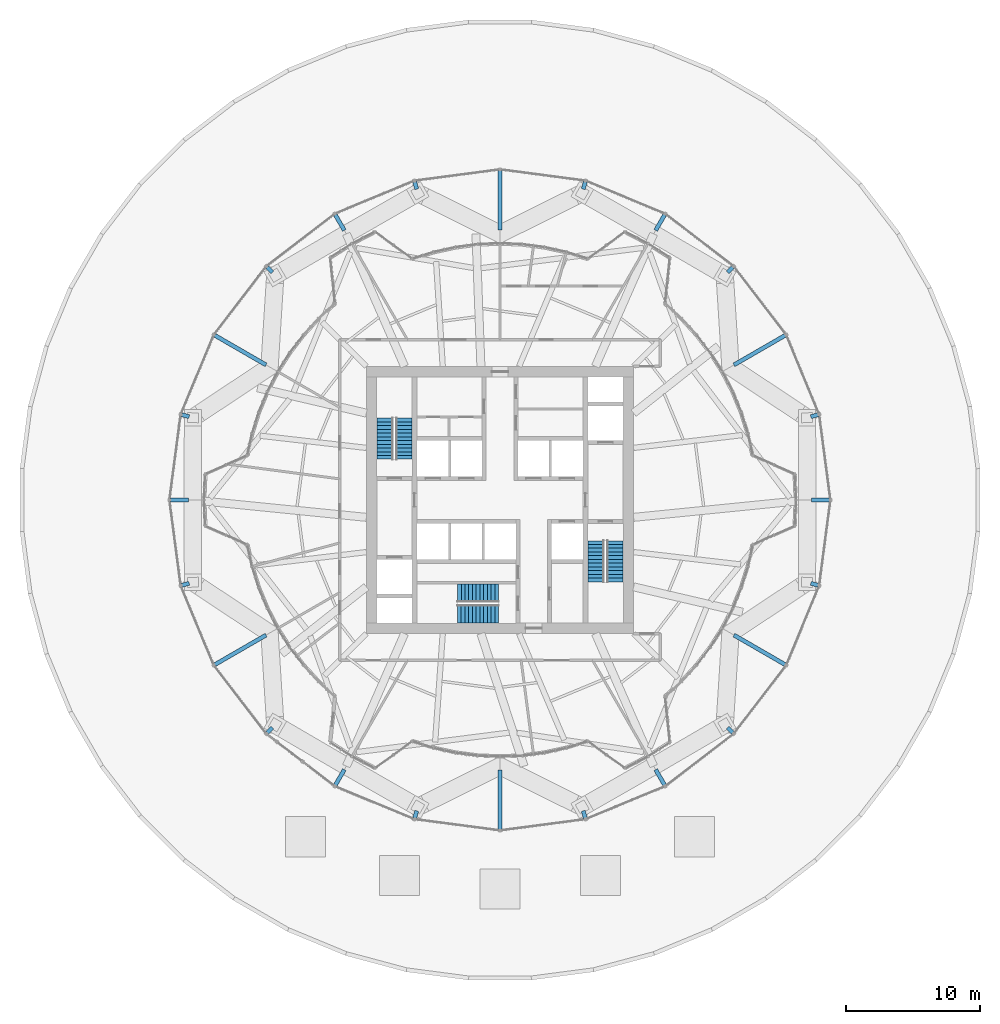
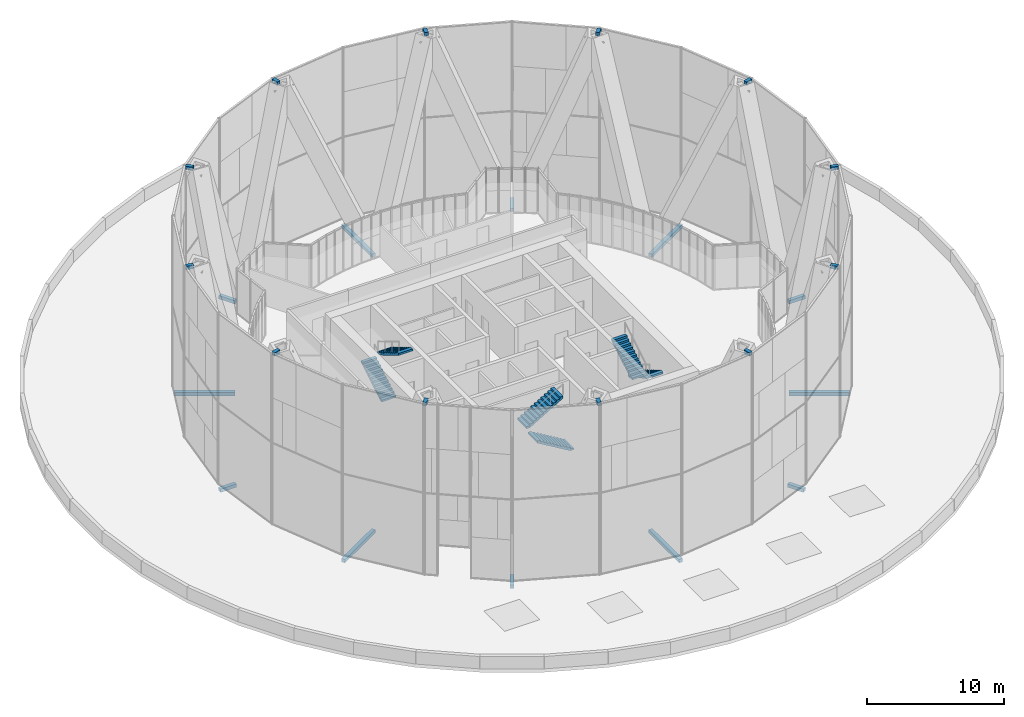
# One storey, part 26 of 27: 24 discrete accessories, 6 stair flights, 3 elements without a shape of their own.
"""IFC4 building model written with IfcOpenShell, lengths in metres."""

import ifcopenshell
import ifcopenshell.guid

model = None  # the IFC model being written
_history = None  # IfcOwnerHistory: only IFC2X3 demands one
_inside = {}  # id of a spatial element -> (the spatial element, [elements in it])
_under = {}  # id of a project, library or spatial element -> (it, [spatial elements below it])
_declared = {}  # id of a project -> (the project, [libraries it declares])
_typed = {}  # id of a type object -> (the type object, [elements of that type])
_made_of = {}  # id of a material, layer set ... -> (it, [elements and type objects made of it])


def new_model(schema):
    """Start an empty IFC model of exactly this schema.

    Asked for "IFC4X3", IfcOpenShell would pick the latest addendum, in which some entities
    have other attributes; the version numbers below select the first issue.
    IFC2X3 requires an IfcOwnerHistory on every rooted entity: one is made here for all.
    """
    global model, _history
    if schema == "IFC4X3":
        model = ifcopenshell.file(schema_version=(4, 3, 0, 0))
    else:
        model = ifcopenshell.file(schema=schema)
    _inside.clear()
    _under.clear()
    _declared.clear()
    _typed.clear()
    _made_of.clear()
    _history = None
    if model.schema == "IFC2X3":
        org = make("IfcOrganization", Name="unknown")
        user = make(
            "IfcPersonAndOrganization",
            ThePerson=make("IfcPerson", FamilyName="unknown"),
            TheOrganization=org,
        )
        app = make(
            "IfcApplication",
            ApplicationDeveloper=org,
            Version="unknown",
            ApplicationFullName="unknown",
            ApplicationIdentifier="unknown",
        )
        _history = make(
            "IfcOwnerHistory",
            OwningUser=user,
            OwningApplication=app,
            ChangeAction="ADDED",
            CreationDate=0,
        )
    return model


def make(cls, **values):
    """One entity of the class cls with the attributes given. An attribute that is None is left unset."""
    return model.create_entity(
        cls, **{name: value for name, value in values.items() if value is not None}
    )


def rooted(cls, **values):
    """An entity with a GlobalId (a new one), such as an element, a storey or a relation."""
    return make(cls, GlobalId=ifcopenshell.guid.new(), OwnerHistory=_history, **values)


def si_unit(unit_type, name, prefix=None):
    """IfcSIUnit, for example si_unit("LENGTHUNIT", "METRE", prefix="MILLI")."""
    return make("IfcSIUnit", UnitType=unit_type, Prefix=prefix, Name=name)


def assignment(units):
    """IfcUnitAssignment: the units of a project."""
    return None if units is None else make("IfcUnitAssignment", Units=units)


def point(xyz):
    """IfcCartesianPoint."""
    return None if xyz is None else make("IfcCartesianPoint", Coordinates=xyz)


def direction(xyz):
    """IfcDirection."""
    return None if xyz is None else make("IfcDirection", DirectionRatios=xyz)


def frame(location, z_axis=None, x_axis=None):
    """IfcAxis2Placement3D, a coordinate frame: its origin and axes. An axis left out is left unset."""
    return make(
        "IfcAxis2Placement3D",
        Location=point(location),
        Axis=direction(z_axis),
        RefDirection=direction(x_axis),
    )


def frame_2d(location, x_axis=None):
    """IfcAxis2Placement2D, a coordinate frame in the plane: its origin and x axis."""
    return make(
        "IfcAxis2Placement2D", Location=point(location), RefDirection=direction(x_axis)
    )


def origin():
    """The frame at (0, 0, 0) with its axes left unset."""
    return frame((0.0, 0.0, 0.0))


def origin_2d():
    """The frame at (0, 0) in the plane with its x axis left unset."""
    return frame_2d((0.0, 0.0))


def place(relative_to, where):
    """IfcLocalPlacement: puts the frame where relative to a parent placement (None: the world)."""
    return make(
        "IfcLocalPlacement", PlacementRelTo=relative_to, RelativePlacement=where
    )


def context(
    kind, dimensions, precision=None, world=None, true_north=None, identifier=None
):
    """IfcGeometricRepresentationContext, for example the 3D "Model" context."""
    return make(
        "IfcGeometricRepresentationContext",
        ContextIdentifier=identifier,
        ContextType=kind,
        CoordinateSpaceDimension=dimensions,
        Precision=precision,
        WorldCoordinateSystem=world,
        TrueNorth=true_north,
    )


def subcontext(parent, identifier, kind, view, scale=None):
    """IfcGeometricRepresentationSubContext, for example "Body" below "Model"."""
    return make(
        "IfcGeometricRepresentationSubContext",
        ContextIdentifier=identifier,
        ContextType=kind,
        ParentContext=parent,
        TargetScale=scale,
        TargetView=view,
    )


def project(units=None, contexts=None):
    """IfcProject with its units and contexts."""
    return rooted(
        "IfcProject",
        Name="project",
        RepresentationContexts=contexts,
        UnitsInContext=assignment(units),
    )


def spatial(cls, under=None, at=None, **own):
    """A site, building, storey or space (cls), placed at a placement, below another one or the project."""
    s = rooted(cls, ObjectPlacement=at, **own)
    if under is not None:
        _under.setdefault(under.id(), (under, []))[1].append(s)
    return s


def polyline(points):
    """IfcPolyline through the points."""
    return make("IfcPolyline", Points=[point(p) for p in points])


def profile(cls, at=None, kind="AREA", **sizes):
    """A parametric profile (cls). Its sizes go by their IFC names, for example OverallWidth=200.0."""
    return make(cls, ProfileType=kind, Position=at, **sizes)


def rectangle(**sizes):
    """IfcRectangleProfileDef."""
    return profile("IfcRectangleProfileDef", **sizes)


def outline(outer, holes=None, kind="AREA"):
    """IfcArbitraryClosedProfileDef: a profile drawn as a closed curve; with holes, ...WithVoids."""
    if holes is None:
        return make("IfcArbitraryClosedProfileDef", ProfileType=kind, OuterCurve=outer)
    return make(
        "IfcArbitraryProfileDefWithVoids",
        ProfileType=kind,
        OuterCurve=outer,
        InnerCurves=holes,
    )


def extrude(swept, where, along, depth):
    """IfcExtrudedAreaSolid: the profile swept, set in the frame where, extruded along a direction by depth."""
    return make(
        "IfcExtrudedAreaSolid",
        SweptArea=swept,
        Position=where,
        ExtrudedDirection=direction(along),
        Depth=depth,
    )


def shape(context_of_items, identifier, shape_type, items):
    """IfcShapeRepresentation: the items that make up one representation, for example the "Body"."""
    return make(
        "IfcShapeRepresentation",
        ContextOfItems=context_of_items,
        RepresentationIdentifier=identifier,
        RepresentationType=shape_type,
        Items=items,
    )


def material(Name=None, Category=None):
    """IfcMaterial."""
    return make("IfcMaterial", Name=Name, Category=Category)


def made_of(thing, what):
    """Note that an element or type object is made of a material, layer set ...; save() writes the relation."""
    if what is not None:
        _made_of.setdefault(what.id(), (what, []))[1].append(thing)
    return thing


def type_object(cls, material=None, **own):
    """A type object (cls), such as IfcWallType, which elements share."""
    return made_of(rooted(cls, **own), material)


def element(
    cls,
    number,
    at=None,
    inside=None,
    cuts=None,
    type_object=None,
    material=None,
    context=None,
    identifier="Body",
    shape_type=None,
    held_by="IfcProductDefinitionShape",
    body=None,
    shapes=None,
    **own,
):
    """One element of the class cls, such as IfcWall. Its Tag is "e" and its number.

    at: its placement. inside: the storey or other place that contains it. cuts: it is an
    opening in that element (IfcRelVoidsElement). A single representation is given by context,
    identifier, shape_type and body (its items); several are given by shapes. held_by: the class
    of the entity that holds the representations. save() writes the other relations.
    """
    e = rooted(cls, Tag="e%d" % number, ObjectPlacement=at, **own)
    if body is not None:
        shapes = [shape(context, identifier, shape_type, body)]
    if shapes is not None:
        e.Representation = make(held_by, Representations=shapes)
    if inside is not None:
        _inside.setdefault(inside.id(), (inside, []))[1].append(e)
    if cuts is not None:
        rooted(
            "IfcRelVoidsElement", RelatingBuildingElement=cuts, RelatedOpeningElement=e
        )
    if type_object is not None:
        _typed.setdefault(type_object.id(), (type_object, []))[1].append(e)
    return made_of(e, material)


def aggregate(whole, parts):
    """IfcRelAggregates: a whole, such as a stair, and the parts it consists of."""
    return rooted("IfcRelAggregates", RelatingObject=whole, RelatedObjects=parts)


def save(model, path):
    """Write the relations noted so far, then the file.

    IfcRelAggregates (storeys below a building ...), IfcRelContainedInSpatialStructure (elements
    in a storey), IfcRelDefinesByType, IfcRelAssociatesMaterial and IfcRelDeclares: one each for
    every whole, place, type object, material and project.
    """
    for whole, parts in _under.values():
        aggregate(whole, parts)
    for where, things in _inside.values():
        rooted(
            "IfcRelContainedInSpatialStructure",
            RelatedElements=things,
            RelatingStructure=where,
        )
    for kind, things in _typed.values():
        rooted("IfcRelDefinesByType", RelatedObjects=things, RelatingType=kind)
    for what, things in _made_of.values():
        rooted("IfcRelAssociatesMaterial", RelatedObjects=things, RelatingMaterial=what)
    for by, libraries in _declared.values():
        rooted("IfcRelDeclares", RelatingContext=by, RelatedDefinitions=libraries)
    model.write(path)


model = new_model("IFC4")

# Units and contexts
model_context = context("Model", 3, precision=1e-05, world=origin(), true_north=direction((0.0, 1.0)))
body_context = subcontext(model_context, "Body", "Model", "MODEL_VIEW")
ifc_project = project(units=[si_unit("LENGTHUNIT", "METRE"), si_unit("AREAUNIT", "SQUARE_METRE"), si_unit("VOLUMEUNIT", "CUBIC_METRE"), si_unit("PLANEANGLEUNIT", "RADIAN"), si_unit("MASSUNIT", "GRAM", prefix="KILO")], contexts=[model_context])

# Site, building, storey
site_placement = place(None, origin())
site = spatial("IfcSite", under=ifc_project, at=site_placement, CompositionType="ELEMENT")
building_placement = place(site_placement, origin())
building = spatial("IfcBuilding", under=site, at=building_placement, Name="Golbaran Civic Tower", CompositionType="ELEMENT")
storey_placement = place(building_placement, frame((0.0, 0.0, 21.0)))
storey = spatial("IfcBuildingStorey", under=building, at=storey_placement, Name="L04", CompositionType="ELEMENT", Elevation=21.0)

# Stair, stair flights
ifc_material_1 = material(Name="Concrete C35/45", Category="concrete")
stair_type_1 = type_object("IfcStairType", Name="EXIT STAIR 2600 x 7450, 4000 RISE", PredefinedType="HALF_TURN_STAIR", material=ifc_material_1)
stair_1_placement = place(storey_placement, origin())
stair_1 = element("IfcStair", 1, at=stair_1_placement, inside=storey, type_object=stair_type_1, Name="Stair S1 L04", PredefinedType="HALF_TURN_STAIR")
stair_flight_type_1 = type_object("IfcStairFlightType", Name="STAIR FLIGHT 1200 WIDE", PredefinedType="STRAIGHT", material=ifc_material_1)
stair_flight_1_placement = place(storey_placement, frame((-8.60009765625, 3.050048828125, 0.0), z_axis=(0.0, 0.0, 1.0), x_axis=(0.0, 1.0, 0.0)))
stair_flight_1 = element("IfcStairFlight", 2, at=stair_flight_1_placement, type_object=stair_flight_type_1, Name="ST26074-40 flight 1", NumberOfRisers=12, NumberOfTreads=11, PredefinedType="STRAIGHT", RiserHeight=0.166666667, TreadLength=0.28, context=body_context, shape_type="SweptSolid", body=[
    extrude(outline(polyline([(0.0, 0.0), (0.0, 0.166748046875), (0.280029296875, 0.166748046875), (0.280029296875, 0.333251953125), (0.56005859375, 0.333251953125), (0.56005859375, 0.5), (0.840087890625, 0.5), (0.840087890625, 0.666748046875), (1.1201171875, 0.666748046875), (1.1201171875, 0.833251953125), (1.39990234375, 0.833251953125), (1.39990234375, 1.0), (1.679931640625, 1.0), (1.679931640625, 1.166748046875), (1.9599609375, 1.166748046875), (1.9599609375, 1.333251953125), (2.239990234375, 1.333251953125), (2.239990234375, 1.5), (2.52001953125, 1.5), (2.52001953125, 1.666748046875), (2.800048828125, 1.666748046875), (2.800048828125, 1.833251953125), (3.080078125, 1.833251953125), (3.080078125, 2.0), (3.080078125, 1.658935546875), (0.29296875, 0.0), (0.0, 0.0)])), frame((0.0, 0.60009765625, 0.0), z_axis=(0.0, -1.0, 0.0), x_axis=(1.0, 0.0, 0.0)), (0.0, 0.0, 1.0), 1.199951171875),
])
stair_flight_2_placement = place(storey_placement, frame((-7.199951171875, 6.1298828125, 2.0), z_axis=(0.0, 0.0, 1.0), x_axis=(0.0, -1.0, 0.0)))
stair_flight_2 = element("IfcStairFlight", 3, at=stair_flight_2_placement, type_object=stair_flight_type_1, Name="ST26074-40 flight 2", NumberOfRisers=12, NumberOfTreads=11, PredefinedType="STRAIGHT", RiserHeight=0.166666667, TreadLength=0.28, context=body_context, shape_type="SweptSolid", body=[
    extrude(outline(polyline([(0.0, 0.0), (0.0, 0.166748046875), (0.280029296875, 0.166748046875), (0.280029296875, 0.333251953125), (0.56005859375, 0.333251953125), (0.56005859375, 0.5), (0.840087890625, 0.5), (0.840087890625, 0.666748046875), (1.1201171875, 0.666748046875), (1.1201171875, 0.833251953125), (1.39990234375, 0.833251953125), (1.39990234375, 1.0), (1.679931640625, 1.0), (1.679931640625, 1.166748046875), (1.9599609375, 1.166748046875), (1.9599609375, 1.333251953125), (2.239990234375, 1.333251953125), (2.239990234375, 1.5), (2.52001953125, 1.5), (2.52001953125, 1.666748046875), (2.800048828125, 1.666748046875), (2.800048828125, 1.833251953125), (3.080078125, 1.833251953125), (3.080078125, 2.0), (3.080078125, 1.658935546875), (0.29296875, 0.0), (0.0, 0.0)])), frame((0.0, 0.60009765625, 0.0), z_axis=(0.0, -1.0, 0.0), x_axis=(1.0, 0.0, 0.0)), (0.0, 0.0, 1.0), 1.199951171875),
])
aggregate(stair_1, [stair_flight_1, stair_flight_2])

stair_2_placement = place(storey_placement, origin())
stair_2 = element("IfcStair", 4, at=stair_2_placement, inside=storey, type_object=stair_type_1, Name="Stair S2 L04", PredefinedType="HALF_TURN_STAIR")
stair_flight_3_placement = place(storey_placement, frame((8.60009765625, -3.050048828125, 0.0), z_axis=(0.0, 0.0, 1.0), x_axis=(0.0, -1.0, 0.0)))
stair_flight_3 = element("IfcStairFlight", 5, at=stair_flight_3_placement, type_object=stair_flight_type_1, Name="ST26074-40 flight 1", NumberOfRisers=12, NumberOfTreads=11, PredefinedType="STRAIGHT", RiserHeight=0.166666667, TreadLength=0.28, context=body_context, shape_type="SweptSolid", body=[
    extrude(outline(polyline([(0.0, 0.0), (0.0, 0.166748046875), (0.280029296875, 0.166748046875), (0.280029296875, 0.333251953125), (0.56005859375, 0.333251953125), (0.56005859375, 0.5), (0.840087890625, 0.5), (0.840087890625, 0.666748046875), (1.1201171875, 0.666748046875), (1.1201171875, 0.833251953125), (1.39990234375, 0.833251953125), (1.39990234375, 1.0), (1.679931640625, 1.0), (1.679931640625, 1.166748046875), (1.9599609375, 1.166748046875), (1.9599609375, 1.333251953125), (2.239990234375, 1.333251953125), (2.239990234375, 1.5), (2.52001953125, 1.5), (2.52001953125, 1.666748046875), (2.800048828125, 1.666748046875), (2.800048828125, 1.833251953125), (3.080078125, 1.833251953125), (3.080078125, 2.0), (3.080078125, 1.658935546875), (0.29296875, 0.0), (0.0, 0.0)])), frame((0.0, 0.60009765625, 0.0), z_axis=(0.0, -1.0, 0.0), x_axis=(1.0, 0.0, 0.0)), (0.0, 0.0, 1.0), 1.199951171875),
])
stair_flight_4_placement = place(storey_placement, frame((7.199951171875, -6.1298828125, 2.0), z_axis=(0.0, 0.0, 1.0), x_axis=(0.0, 1.0, 0.0)))
stair_flight_4 = element("IfcStairFlight", 6, at=stair_flight_4_placement, type_object=stair_flight_type_1, Name="ST26074-40 flight 2", NumberOfRisers=12, NumberOfTreads=11, PredefinedType="STRAIGHT", RiserHeight=0.166666667, TreadLength=0.28, context=body_context, shape_type="SweptSolid", body=[
    extrude(outline(polyline([(0.0, 0.0), (0.0, 0.166748046875), (0.280029296875, 0.166748046875), (0.280029296875, 0.333251953125), (0.56005859375, 0.333251953125), (0.56005859375, 0.5), (0.840087890625, 0.5), (0.840087890625, 0.666748046875), (1.1201171875, 0.666748046875), (1.1201171875, 0.833251953125), (1.39990234375, 0.833251953125), (1.39990234375, 1.0), (1.679931640625, 1.0), (1.679931640625, 1.166748046875), (1.9599609375, 1.166748046875), (1.9599609375, 1.333251953125), (2.239990234375, 1.333251953125), (2.239990234375, 1.5), (2.52001953125, 1.5), (2.52001953125, 1.666748046875), (2.800048828125, 1.666748046875), (2.800048828125, 1.833251953125), (3.080078125, 1.833251953125), (3.080078125, 2.0), (3.080078125, 1.658935546875), (0.29296875, 0.0), (0.0, 0.0)])), frame((0.0, 0.60009765625, 0.0), z_axis=(0.0, -1.0, 0.0), x_axis=(1.0, 0.0, 0.0)), (0.0, 0.0, 1.0), 1.199951171875),
])
aggregate(stair_2, [stair_flight_3, stair_flight_4])

stair_type_2 = type_object("IfcStairType", Name="EXIT STAIR 2900 x 7400, 4000 RISE", PredefinedType="HALF_TURN_STAIR", material=ifc_material_1)
stair_3_placement = place(storey_placement, origin())
stair_3 = element("IfcStair", 7, at=stair_3_placement, inside=storey, type_object=stair_type_2, Name="Stair S3 L04", PredefinedType="HALF_TURN_STAIR")
stair_flight_type_2 = type_object("IfcStairFlightType", Name="STAIR FLIGHT 1350 WIDE", PredefinedType="STRAIGHT", material=ifc_material_1)
stair_flight_5_placement = place(storey_placement, frame((-0.10009765625, -8.52490234375, 0.0), z_axis=(0.0, 0.0, 1.0), x_axis=(-1.0, 0.0, 0.0)))
stair_flight_5 = element("IfcStairFlight", 8, at=stair_flight_5_placement, type_object=stair_flight_type_2, Name="ST29074-40 flight 1", NumberOfRisers=12, NumberOfTreads=11, PredefinedType="STRAIGHT", RiserHeight=0.166666667, TreadLength=0.28, context=body_context, shape_type="SweptSolid", body=[
    extrude(outline(polyline([(0.0, 0.0), (0.0, 0.166748046875), (0.280029296875, 0.166748046875), (0.280029296875, 0.333251953125), (0.56005859375, 0.333251953125), (0.56005859375, 0.5), (0.840087890625, 0.5), (0.840087890625, 0.666748046875), (1.1201171875, 0.666748046875), (1.1201171875, 0.833251953125), (1.39990234375, 0.833251953125), (1.39990234375, 1.0), (1.679931640625, 1.0), (1.679931640625, 1.166748046875), (1.9599609375, 1.166748046875), (1.9599609375, 1.333251953125), (2.239990234375, 1.333251953125), (2.239990234375, 1.5), (2.52001953125, 1.5), (2.52001953125, 1.666748046875), (2.800048828125, 1.666748046875), (2.800048828125, 1.833251953125), (3.080078125, 1.833251953125), (3.080078125, 2.0), (3.080078125, 1.658935546875), (0.29296875, 0.0), (0.0, 0.0)])), frame((0.0, 0.675048828125, 0.0), z_axis=(0.0, -1.0, 0.0), x_axis=(1.0, 0.0, 0.0)), (0.0, 0.0, 1.0), 1.35009765625),
])
stair_flight_6_placement = place(storey_placement, frame((-3.179931640625, -6.97509765625, 2.0), z_axis=(0.0, 0.0, 1.0), x_axis=(1.0, 0.0, 0.0)))
stair_flight_6 = element("IfcStairFlight", 9, at=stair_flight_6_placement, type_object=stair_flight_type_2, Name="ST29074-40 flight 2", NumberOfRisers=12, NumberOfTreads=11, PredefinedType="STRAIGHT", RiserHeight=0.166666667, TreadLength=0.28, context=body_context, shape_type="SweptSolid", body=[
    extrude(outline(polyline([(0.0, 0.0), (0.0, 0.166748046875), (0.280029296875, 0.166748046875), (0.280029296875, 0.333251953125), (0.56005859375, 0.333251953125), (0.56005859375, 0.5), (0.840087890625, 0.5), (0.840087890625, 0.666748046875), (1.1201171875, 0.666748046875), (1.1201171875, 0.833251953125), (1.39990234375, 0.833251953125), (1.39990234375, 1.0), (1.679931640625, 1.0), (1.679931640625, 1.166748046875), (1.9599609375, 1.166748046875), (1.9599609375, 1.333251953125), (2.239990234375, 1.333251953125), (2.239990234375, 1.5), (2.52001953125, 1.5), (2.52001953125, 1.666748046875), (2.800048828125, 1.666748046875), (2.800048828125, 1.833251953125), (3.080078125, 1.833251953125), (3.080078125, 2.0), (3.080078125, 1.658935546875), (0.29296875, 0.0), (0.0, 0.0)])), frame((0.0, 0.675048828125, 0.0), z_axis=(0.0, -1.0, 0.0), x_axis=(1.0, 0.0, 0.0)), (0.0, 0.0, 1.0), 1.35009765625),
])
aggregate(stair_3, [stair_flight_5, stair_flight_6])

# Discrete accessories
ifc_material_2 = material(Name="Steel S355", Category="steel")
discrete_accessory_type = type_object("IfcDiscreteAccessoryType", Name="OUTER SKIN BRACKET", PredefinedType="BRACKET", material=ifc_material_2)
discrete_accessory_1_placement = place(storey_placement, frame((23.9775390625, 0.0, -0.7099609375), z_axis=(0.0, 0.0, 1.0), x_axis=(1.0, 0.0, 0.0)))
element("IfcDiscreteAccessory", 10, at=discrete_accessory_1_placement, inside=storey, type_object=discrete_accessory_type, Name="Outer skin bracket L04 node 1", PredefinedType="BRACKET", context=body_context, shape_type="SweptSolid", body=[
    extrude(rectangle(XDim=1.35498046875, YDim=0.300048828125, at=origin_2d()), origin(), (0.0, 0.0, 1.0), 0.300048828125),
])
discrete_accessory_2_placement = place(storey_placement, frame((19.430908203125, 11.218505859375, -0.7099609375), z_axis=(0.0, 0.0, 1.0), x_axis=(0.866025403784, 0.5, 0.0)))
element("IfcDiscreteAccessory", 11, at=discrete_accessory_2_placement, inside=storey, type_object=discrete_accessory_type, Name="Outer skin bracket L04 node 2", PredefinedType="BRACKET", context=body_context, shape_type="SweptSolid", body=[
    extrude(rectangle(XDim=4.4365234375, YDim=0.300048828125, at=origin_2d()), origin(), (0.0, 0.0, 1.0), 0.300048828125),
])
discrete_accessory_3_placement = place(storey_placement, frame((11.98876953125, 20.76513671875, -0.7099609375), z_axis=(0.0, 0.0, 1.0), x_axis=(0.5, 0.866025403784, 0.0)))
element("IfcDiscreteAccessory", 12, at=discrete_accessory_3_placement, inside=storey, type_object=discrete_accessory_type, Name="Outer skin bracket L04 node 3", PredefinedType="BRACKET", context=body_context, shape_type="SweptSolid", body=[
    extrude(rectangle(XDim=1.35498046875, YDim=0.300048828125, at=origin_2d()), origin(), (0.0, 0.0, 1.0), 0.300048828125),
])
discrete_accessory_4_placement = place(storey_placement, frame((0.0, 22.436767578125, -0.7099609375), z_axis=(0.0, 0.0, 1.0), x_axis=(0.0, 1.0, 0.0)))
element("IfcDiscreteAccessory", 13, at=discrete_accessory_4_placement, inside=storey, type_object=discrete_accessory_type, Name="Outer skin bracket L04 node 4", PredefinedType="BRACKET", context=body_context, shape_type="SweptSolid", body=[
    extrude(rectangle(XDim=4.4365234375, YDim=0.300048828125, at=origin_2d()), origin(), (0.0, 0.0, 1.0), 0.300048828125),
])
discrete_accessory_5_placement = place(storey_placement, frame((-11.98876953125, 20.76513671875, -0.7099609375), z_axis=(0.0, 0.0, 1.0), x_axis=(-0.5, 0.866025403784, 0.0)))
element("IfcDiscreteAccessory", 14, at=discrete_accessory_5_placement, inside=storey, type_object=discrete_accessory_type, Name="Outer skin bracket L04 node 5", PredefinedType="BRACKET", context=body_context, shape_type="SweptSolid", body=[
    extrude(rectangle(XDim=1.35498046875, YDim=0.300048828125, at=origin_2d()), origin(), (0.0, 0.0, 1.0), 0.300048828125),
])
discrete_accessory_6_placement = place(storey_placement, frame((-19.430908203125, 11.218505859375, -0.7099609375), z_axis=(0.0, 0.0, 1.0), x_axis=(-0.866025403784, 0.5, 0.0)))
element("IfcDiscreteAccessory", 15, at=discrete_accessory_6_placement, inside=storey, type_object=discrete_accessory_type, Name="Outer skin bracket L04 node 6", PredefinedType="BRACKET", context=body_context, shape_type="SweptSolid", body=[
    extrude(rectangle(XDim=4.4365234375, YDim=0.300048828125, at=origin_2d()), origin(), (0.0, 0.0, 1.0), 0.300048828125),
])
discrete_accessory_7_placement = place(storey_placement, frame((-23.9775390625, 0.0, -0.7099609375), z_axis=(0.0, 0.0, 1.0), x_axis=(-1.0, 0.0, 0.0)))
element("IfcDiscreteAccessory", 16, at=discrete_accessory_7_placement, inside=storey, type_object=discrete_accessory_type, Name="Outer skin bracket L04 node 7", PredefinedType="BRACKET", context=body_context, shape_type="SweptSolid", body=[
    extrude(rectangle(XDim=1.35498046875, YDim=0.300048828125, at=origin_2d()), origin(), (0.0, 0.0, 1.0), 0.300048828125),
])
discrete_accessory_8_placement = place(storey_placement, frame((-19.430908203125, -11.218505859375, -0.7099609375), z_axis=(0.0, 0.0, 1.0), x_axis=(-0.866025403784, -0.5, 0.0)))
element("IfcDiscreteAccessory", 17, at=discrete_accessory_8_placement, inside=storey, type_object=discrete_accessory_type, Name="Outer skin bracket L04 node 8", PredefinedType="BRACKET", context=body_context, shape_type="SweptSolid", body=[
    extrude(rectangle(XDim=4.4365234375, YDim=0.300048828125, at=origin_2d()), origin(), (0.0, 0.0, 1.0), 0.300048828125),
])
discrete_accessory_9_placement = place(storey_placement, frame((-11.98876953125, -20.76513671875, -0.7099609375), z_axis=(0.0, 0.0, 1.0), x_axis=(-0.5, -0.866025403784, 0.0)))
element("IfcDiscreteAccessory", 18, at=discrete_accessory_9_placement, inside=storey, type_object=discrete_accessory_type, Name="Outer skin bracket L04 node 9", PredefinedType="BRACKET", context=body_context, shape_type="SweptSolid", body=[
    extrude(rectangle(XDim=1.35498046875, YDim=0.300048828125, at=origin_2d()), origin(), (0.0, 0.0, 1.0), 0.300048828125),
])
discrete_accessory_10_placement = place(storey_placement, frame((0.0, -22.436767578125, -0.7099609375), z_axis=(0.0, 0.0, 1.0), x_axis=(0.0, -1.0, 0.0)))
element("IfcDiscreteAccessory", 19, at=discrete_accessory_10_placement, inside=storey, type_object=discrete_accessory_type, Name="Outer skin bracket L04 node 10", PredefinedType="BRACKET", context=body_context, shape_type="SweptSolid", body=[
    extrude(rectangle(XDim=4.4365234375, YDim=0.300048828125, at=origin_2d()), origin(), (0.0, 0.0, 1.0), 0.300048828125),
])
discrete_accessory_11_placement = place(storey_placement, frame((11.98876953125, -20.76513671875, -0.7099609375), z_axis=(0.0, 0.0, 1.0), x_axis=(0.5, -0.866025403784, 0.0)))
element("IfcDiscreteAccessory", 20, at=discrete_accessory_11_placement, inside=storey, type_object=discrete_accessory_type, Name="Outer skin bracket L04 node 11", PredefinedType="BRACKET", context=body_context, shape_type="SweptSolid", body=[
    extrude(rectangle(XDim=1.35498046875, YDim=0.300048828125, at=origin_2d()), origin(), (0.0, 0.0, 1.0), 0.300048828125),
])
discrete_accessory_12_placement = place(storey_placement, frame((19.430908203125, -11.218505859375, -0.7099609375), z_axis=(0.0, 0.0, 1.0), x_axis=(0.866025403784, -0.5, 0.0)))
element("IfcDiscreteAccessory", 21, at=discrete_accessory_12_placement, inside=storey, type_object=discrete_accessory_type, Name="Outer skin bracket L04 node 12", PredefinedType="BRACKET", context=body_context, shape_type="SweptSolid", body=[
    extrude(rectangle(XDim=4.4365234375, YDim=0.300048828125, at=origin_2d()), origin(), (0.0, 0.0, 1.0), 0.300048828125),
])
for number, where, z_axis, x_axis, name in (
    (22, (23.53955078125, 6.307373046875, 14.98974609375), (0.0, 0.0, 1.0), (0.965925826289, 0.258819045103, 0.0), "Outer skin head bracket L04 node 1"),
    (23, (17.232177734375, 17.232177734375, 14.98974609375), (0.0, 0.0, 1.0), (0.707106781187, 0.707106781187, 0.0), "Outer skin head bracket L04 node 2"),
    (24, (6.307373046875, 23.53955078125, 14.98974609375), (0.0, 0.0, 1.0), (0.258819045103, 0.965925826289, 0.0), "Outer skin head bracket L04 node 3"),
    (25, (-6.307373046875, 23.53955078125, 14.98974609375), (0.0, 0.0, 1.0), (-0.258819045103, 0.965925826289, 0.0), "Outer skin head bracket L04 node 4"),
    (26, (-17.232177734375, 17.232177734375, 14.98974609375), (0.0, 0.0, 1.0), (-0.707106781187, 0.707106781187, 0.0), "Outer skin head bracket L04 node 5"),
    (27, (-23.53955078125, 6.307373046875, 14.98974609375), (0.0, 0.0, 1.0), (-0.965925826289, 0.258819045103, 0.0), "Outer skin head bracket L04 node 6"),
    (28, (-23.53955078125, -6.307373046875, 14.98974609375), (0.0, 0.0, 1.0), (-0.965925826289, -0.258819045103, 0.0), "Outer skin head bracket L04 node 7"),
    (29, (-17.232177734375, -17.232177734375, 14.98974609375), (0.0, 0.0, 1.0), (-0.707106781187, -0.707106781187, 0.0), "Outer skin head bracket L04 node 8"),
    (30, (-6.307373046875, -23.53955078125, 14.98974609375), (0.0, 0.0, 1.0), (-0.258819045103, -0.965925826289, 0.0), "Outer skin head bracket L04 node 9"),
    (31, (6.307373046875, -23.53955078125, 14.98974609375), (0.0, 0.0, 1.0), (0.258819045103, -0.965925826289, 0.0), "Outer skin head bracket L04 node 10"),
    (32, (17.232177734375, -17.232177734375, 14.98974609375), (0.0, 0.0, 1.0), (0.707106781187, -0.707106781187, 0.0), "Outer skin head bracket L04 node 11"),
    (33, (23.53955078125, -6.307373046875, 14.98974609375), (0.0, 0.0, 1.0), (0.965925826289, -0.258819045103, 0.0), "Outer skin head bracket L04 node 12"),
):
    element("IfcDiscreteAccessory", number, at=place(storey_placement, frame(where, z_axis=z_axis, x_axis=x_axis)), inside=storey, type_object=discrete_accessory_type, Name=name, PredefinedType="BRACKET", context=body_context, shape_type="SweptSolid", body=[
        extrude(rectangle(XDim=0.570068359375, YDim=0.300048828125, at=origin_2d()), origin(), (0.0, 0.0, 1.0), 0.300048828125),
    ])

save(model, "model.ifc")
